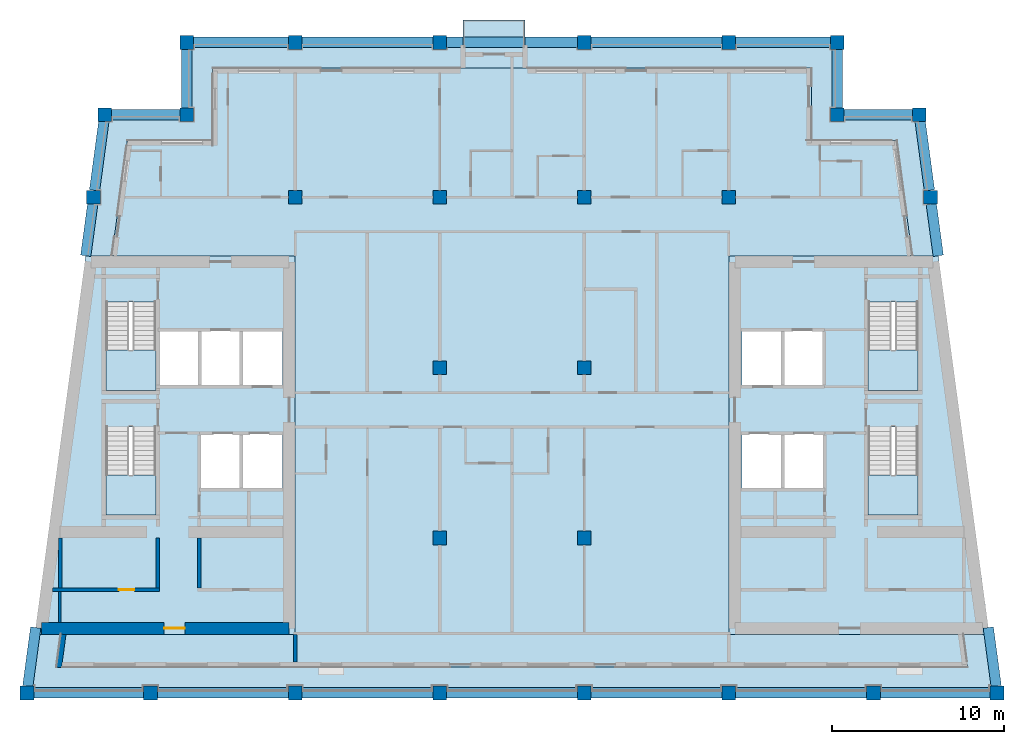
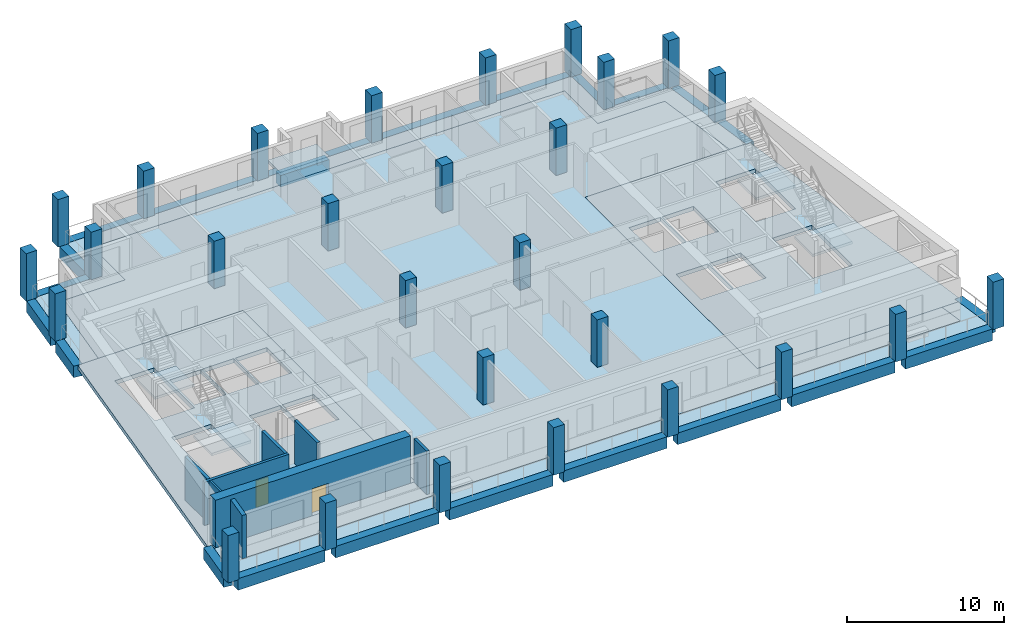
# One storey, part 1 of 14: 28 columns, 24 beams, 10 slabs, 8 walls, 2 doors, 2 openings, 4 elements without a shape of their own.
"""IFC4 building model written with IfcOpenShell, lengths in metres."""

import ifcopenshell
import ifcopenshell.guid

model = None  # the IFC model being written
_history = None  # IfcOwnerHistory: only IFC2X3 demands one
_inside = {}  # id of a spatial element -> (the spatial element, [elements in it])
_under = {}  # id of a project, library or spatial element -> (it, [spatial elements below it])
_declared = {}  # id of a project -> (the project, [libraries it declares])
_typed = {}  # id of a type object -> (the type object, [elements of that type])
_made_of = {}  # id of a material, layer set ... -> (it, [elements and type objects made of it])


def new_model(schema):
    """Start an empty IFC model of exactly this schema.

    Asked for "IFC4X3", IfcOpenShell would pick the latest addendum, in which some entities
    have other attributes; the version numbers below select the first issue.
    IFC2X3 requires an IfcOwnerHistory on every rooted entity: one is made here for all.
    """
    global model, _history
    if schema == "IFC4X3":
        model = ifcopenshell.file(schema_version=(4, 3, 0, 0))
    else:
        model = ifcopenshell.file(schema=schema)
    _inside.clear()
    _under.clear()
    _declared.clear()
    _typed.clear()
    _made_of.clear()
    _history = None
    if model.schema == "IFC2X3":
        org = make("IfcOrganization", Name="unknown")
        user = make(
            "IfcPersonAndOrganization",
            ThePerson=make("IfcPerson", FamilyName="unknown"),
            TheOrganization=org,
        )
        app = make(
            "IfcApplication",
            ApplicationDeveloper=org,
            Version="unknown",
            ApplicationFullName="unknown",
            ApplicationIdentifier="unknown",
        )
        _history = make(
            "IfcOwnerHistory",
            OwningUser=user,
            OwningApplication=app,
            ChangeAction="ADDED",
            CreationDate=0,
        )
    return model


def make(cls, **values):
    """One entity of the class cls with the attributes given. An attribute that is None is left unset."""
    return model.create_entity(
        cls, **{name: value for name, value in values.items() if value is not None}
    )


def rooted(cls, **values):
    """An entity with a GlobalId (a new one), such as an element, a storey or a relation."""
    return make(cls, GlobalId=ifcopenshell.guid.new(), OwnerHistory=_history, **values)


def si_unit(unit_type, name, prefix=None):
    """IfcSIUnit, for example si_unit("LENGTHUNIT", "METRE", prefix="MILLI")."""
    return make("IfcSIUnit", UnitType=unit_type, Prefix=prefix, Name=name)


def assignment(units):
    """IfcUnitAssignment: the units of a project."""
    return None if units is None else make("IfcUnitAssignment", Units=units)


def point(xyz):
    """IfcCartesianPoint."""
    return None if xyz is None else make("IfcCartesianPoint", Coordinates=xyz)


def direction(xyz):
    """IfcDirection."""
    return None if xyz is None else make("IfcDirection", DirectionRatios=xyz)


def frame(location, z_axis=None, x_axis=None):
    """IfcAxis2Placement3D, a coordinate frame: its origin and axes. An axis left out is left unset."""
    return make(
        "IfcAxis2Placement3D",
        Location=point(location),
        Axis=direction(z_axis),
        RefDirection=direction(x_axis),
    )


def frame_2d(location, x_axis=None):
    """IfcAxis2Placement2D, a coordinate frame in the plane: its origin and x axis."""
    return make(
        "IfcAxis2Placement2D", Location=point(location), RefDirection=direction(x_axis)
    )


def origin():
    """The frame at (0, 0, 0) with its axes left unset."""
    return frame((0.0, 0.0, 0.0))


def origin_2d():
    """The frame at (0, 0) in the plane with its x axis left unset."""
    return frame_2d((0.0, 0.0))


def place(relative_to, where):
    """IfcLocalPlacement: puts the frame where relative to a parent placement (None: the world)."""
    return make(
        "IfcLocalPlacement", PlacementRelTo=relative_to, RelativePlacement=where
    )


def context(
    kind, dimensions, precision=None, world=None, true_north=None, identifier=None
):
    """IfcGeometricRepresentationContext, for example the 3D "Model" context."""
    return make(
        "IfcGeometricRepresentationContext",
        ContextIdentifier=identifier,
        ContextType=kind,
        CoordinateSpaceDimension=dimensions,
        Precision=precision,
        WorldCoordinateSystem=world,
        TrueNorth=true_north,
    )


def subcontext(parent, identifier, kind, view, scale=None):
    """IfcGeometricRepresentationSubContext, for example "Body" below "Model"."""
    return make(
        "IfcGeometricRepresentationSubContext",
        ContextIdentifier=identifier,
        ContextType=kind,
        ParentContext=parent,
        TargetScale=scale,
        TargetView=view,
    )


def project(units=None, contexts=None):
    """IfcProject with its units and contexts."""
    return rooted(
        "IfcProject",
        Name="project",
        RepresentationContexts=contexts,
        UnitsInContext=assignment(units),
    )


def spatial(cls, under=None, at=None, **own):
    """A site, building, storey or space (cls), placed at a placement, below another one or the project."""
    s = rooted(cls, ObjectPlacement=at, **own)
    if under is not None:
        _under.setdefault(under.id(), (under, []))[1].append(s)
    return s


def polyline(points):
    """IfcPolyline through the points."""
    return make("IfcPolyline", Points=[point(p) for p in points])


def profile(cls, at=None, kind="AREA", **sizes):
    """A parametric profile (cls). Its sizes go by their IFC names, for example OverallWidth=200.0."""
    return make(cls, ProfileType=kind, Position=at, **sizes)


def rectangle(**sizes):
    """IfcRectangleProfileDef."""
    return profile("IfcRectangleProfileDef", **sizes)


def outline(outer, holes=None, kind="AREA"):
    """IfcArbitraryClosedProfileDef: a profile drawn as a closed curve; with holes, ...WithVoids."""
    if holes is None:
        return make("IfcArbitraryClosedProfileDef", ProfileType=kind, OuterCurve=outer)
    return make(
        "IfcArbitraryProfileDefWithVoids",
        ProfileType=kind,
        OuterCurve=outer,
        InnerCurves=holes,
    )


def extrude(swept, where, along, depth):
    """IfcExtrudedAreaSolid: the profile swept, set in the frame where, extruded along a direction by depth."""
    return make(
        "IfcExtrudedAreaSolid",
        SweptArea=swept,
        Position=where,
        ExtrudedDirection=direction(along),
        Depth=depth,
    )


def shape(context_of_items, identifier, shape_type, items):
    """IfcShapeRepresentation: the items that make up one representation, for example the "Body"."""
    return make(
        "IfcShapeRepresentation",
        ContextOfItems=context_of_items,
        RepresentationIdentifier=identifier,
        RepresentationType=shape_type,
        Items=items,
    )


def material(Name=None, Category=None):
    """IfcMaterial."""
    return make("IfcMaterial", Name=Name, Category=Category)


def layer(
    of_material, thickness, ventilated=None, Name=None, Category=None, Priority=None
):
    """IfcMaterialLayer: one layer of a wall or slab, of a material (None: an air gap)."""
    return make(
        "IfcMaterialLayer",
        Material=of_material,
        LayerThickness=thickness,
        IsVentilated=ventilated,
        Name=Name,
        Category=Category,
        Priority=Priority,
    )


def layer_set(layers, Name=None):
    """IfcMaterialLayerSet."""
    return make("IfcMaterialLayerSet", MaterialLayers=layers, LayerSetName=Name)


def material_profile(
    of_material, cross_section, Name=None, Category=None, Priority=None
):
    """IfcMaterialProfile: a cross section and its material."""
    return make(
        "IfcMaterialProfile",
        Name=Name,
        Material=of_material,
        Profile=cross_section,
        Priority=Priority,
        Category=Category,
    )


def profile_set(profiles, Name=None, composite=None):
    """IfcMaterialProfileSet."""
    return make(
        "IfcMaterialProfileSet",
        Name=Name,
        MaterialProfiles=profiles,
        CompositeProfile=composite,
    )


def made_of(thing, what):
    """Note that an element or type object is made of a material, layer set ...; save() writes the relation."""
    if what is not None:
        _made_of.setdefault(what.id(), (what, []))[1].append(thing)
    return thing


def type_object(cls, material=None, **own):
    """A type object (cls), such as IfcWallType, which elements share."""
    return made_of(rooted(cls, **own), material)


def element(
    cls,
    number,
    at=None,
    inside=None,
    cuts=None,
    type_object=None,
    material=None,
    context=None,
    identifier="Body",
    shape_type=None,
    held_by="IfcProductDefinitionShape",
    body=None,
    shapes=None,
    **own,
):
    """One element of the class cls, such as IfcWall. Its Tag is "e" and its number.

    at: its placement. inside: the storey or other place that contains it. cuts: it is an
    opening in that element (IfcRelVoidsElement). A single representation is given by context,
    identifier, shape_type and body (its items); several are given by shapes. held_by: the class
    of the entity that holds the representations. save() writes the other relations.
    """
    e = rooted(cls, Tag="e%d" % number, ObjectPlacement=at, **own)
    if body is not None:
        shapes = [shape(context, identifier, shape_type, body)]
    if shapes is not None:
        e.Representation = make(held_by, Representations=shapes)
    if inside is not None:
        _inside.setdefault(inside.id(), (inside, []))[1].append(e)
    if cuts is not None:
        rooted(
            "IfcRelVoidsElement", RelatingBuildingElement=cuts, RelatedOpeningElement=e
        )
    if type_object is not None:
        _typed.setdefault(type_object.id(), (type_object, []))[1].append(e)
    return made_of(e, material)


def fill(opening, filler):
    """IfcRelFillsElement: the door or window that sits in an opening."""
    return rooted(
        "IfcRelFillsElement",
        RelatingOpeningElement=opening,
        RelatedBuildingElement=filler,
    )


def aggregate(whole, parts):
    """IfcRelAggregates: a whole, such as a stair, and the parts it consists of."""
    return rooted("IfcRelAggregates", RelatingObject=whole, RelatedObjects=parts)


def save(model, path):
    """Write the relations noted so far, then the file.

    IfcRelAggregates (storeys below a building ...), IfcRelContainedInSpatialStructure (elements
    in a storey), IfcRelDefinesByType, IfcRelAssociatesMaterial and IfcRelDeclares: one each for
    every whole, place, type object, material and project.
    """
    for whole, parts in _under.values():
        aggregate(whole, parts)
    for where, things in _inside.values():
        rooted(
            "IfcRelContainedInSpatialStructure",
            RelatedElements=things,
            RelatingStructure=where,
        )
    for kind, things in _typed.values():
        rooted("IfcRelDefinesByType", RelatedObjects=things, RelatingType=kind)
    for what, things in _made_of.values():
        rooted("IfcRelAssociatesMaterial", RelatedObjects=things, RelatingMaterial=what)
    for by, libraries in _declared.values():
        rooted("IfcRelDeclares", RelatingContext=by, RelatedDefinitions=libraries)
    model.write(path)


model = new_model("IFC4")

# Units and contexts
model_context = context("Model", 3, precision=1e-05, world=origin(), true_north=direction((0.0, 1.0)))
body_context = subcontext(model_context, "Body", "Model", "MODEL_VIEW")
ifc_project = project(units=[si_unit("LENGTHUNIT", "METRE"), si_unit("AREAUNIT", "SQUARE_METRE"), si_unit("VOLUMEUNIT", "CUBIC_METRE"), si_unit("PLANEANGLEUNIT", "RADIAN"), si_unit("MASSUNIT", "GRAM", prefix="KILO")], contexts=[model_context])

# Site, building, storey
site_placement = place(None, origin())
site = spatial("IfcSite", under=ifc_project, at=site_placement, CompositionType="ELEMENT")
building_placement = place(site_placement, origin())
building = spatial("IfcBuilding", under=site, at=building_placement, Name="Candeia Pilgrim Tower and Theatre", CompositionType="ELEMENT")
storey_placement = place(building_placement, frame((0.0, 0.0, 266.39990234375)))
storey = spatial("IfcBuildingStorey", under=building, at=storey_placement, Name="L64", CompositionType="ELEMENT", Elevation=266.39990234375)

# Columns
ifc_material_1 = material(Name="Concrete C40/50", Category="concrete")
ifc_material_profile_1 = material_profile(ifc_material_1, rectangle(XDim=0.800048828125, YDim=0.800048828125, at=origin_2d()))
ifc_profile_set_1 = profile_set([ifc_material_profile_1], Name="Concrete C40/50")
column_type = type_object("IfcColumnType", Name="RC 800x800 C40/50", PredefinedType="COLUMN", material=ifc_profile_set_1)
for number, where, z_axis, x_axis, name in (
    (1, (94.5, 140.60009765625, 0.0), (0.0, 0.0, 1.0), (1.0, 0.0, 0.0), "Column NNW"),
    (2, (132.300048828125, 140.60009765625, 0.0), (0.0, 0.0, 1.0), (1.0, 0.0, 0.0), "Column NNE"),
    (3, (89.734619140625, 140.60009765625, 0.0), (0.0, 0.0, 1.0), (1.0, 0.0, 0.0), "Column LNW"),
    (4, (137.0654296875, 140.60009765625, 0.0), (0.0, 0.0, 1.0), (1.0, 0.0, 0.0), "Column LNE"),
    (5, (92.39990234375, 107.0, 0.0), (0.0, 0.0, 1.0), (1.0, 0.0, 0.0), "Column B1"),
    (6, (100.800048828125, 107.0, 0.0), (0.0, 0.0, 1.0), (1.0, 0.0, 0.0), "Column B2"),
    (7, (109.199951171875, 107.0, 0.0), (0.0, 0.0, 1.0), (1.0, 0.0, 0.0), "Column B3"),
    (8, (117.60009765625, 107.0, 0.0), (0.0, 0.0, 1.0), (1.0, 0.0, 0.0), "Column B4"),
    (9, (126.0, 107.0, 0.0), (0.0, 0.0, 1.0), (1.0, 0.0, 0.0), "Column B5"),
    (10, (134.39990234375, 107.0, 0.0), (0.0, 0.0, 1.0), (1.0, 0.0, 0.0), "Column B6"),
    (11, (85.21142578125, 107.0, 0.0), (0.0, 0.0, 1.0), (1.0, 0.0, 0.0), "Column BW"),
    (12, (141.58837890625, 107.0, 0.0), (0.0, 0.0, 1.0), (1.0, 0.0, 0.0), "Column BE"),
    (13, (109.199951171875, 116.0, 0.0), (0.0, 0.0, 1.0), (1.0, 0.0, 0.0), "Column C3"),
    (14, (117.60009765625, 116.0, 0.0), (0.0, 0.0, 1.0), (1.0, 0.0, 0.0), "Column C4"),
    (15, (109.199951171875, 125.89990234375, 0.0), (0.0, 0.0, 1.0), (1.0, 0.0, 0.0), "Column D3"),
    (16, (117.60009765625, 125.89990234375, 0.0), (0.0, 0.0, 1.0), (1.0, 0.0, 0.0), "Column D4"),
    (17, (100.800048828125, 135.800048828125, 0.0), (0.0, 0.0, 1.0), (1.0, 0.0, 0.0), "Column E2"),
    (18, (109.199951171875, 135.800048828125, 0.0), (0.0, 0.0, 1.0), (1.0, 0.0, 0.0), "Column E3"),
    (19, (117.60009765625, 135.800048828125, 0.0), (0.0, 0.0, 1.0), (1.0, 0.0, 0.0), "Column E4"),
    (20, (126.0, 135.800048828125, 0.0), (0.0, 0.0, 1.0), (1.0, 0.0, 0.0), "Column E5"),
    (21, (89.08837890625, 135.800048828125, 0.0), (0.0, 0.0, 1.0), (1.0, 0.0, 0.0), "Column EW"),
    (22, (137.71142578125, 135.800048828125, 0.0), (0.0, 0.0, 1.0), (1.0, 0.0, 0.0), "Column EE"),
    (23, (100.800048828125, 144.800048828125, 0.0), (0.0, 0.0, 1.0), (1.0, 0.0, 0.0), "Column F2"),
    (24, (109.199951171875, 144.800048828125, 0.0), (0.0, 0.0, 1.0), (1.0, 0.0, 0.0), "Column F3"),
    (25, (117.60009765625, 144.800048828125, 0.0), (0.0, 0.0, 1.0), (1.0, 0.0, 0.0), "Column F4"),
    (26, (126.0, 144.800048828125, 0.0), (0.0, 0.0, 1.0), (1.0, 0.0, 0.0), "Column F5"),
    (27, (94.5, 144.800048828125, 0.0), (0.0, 0.0, 1.0), (1.0, 0.0, 0.0), "Column FW"),
    (28, (132.300048828125, 144.800048828125, 0.0), (0.0, 0.0, 1.0), (1.0, 0.0, 0.0), "Column FE"),
):
    element("IfcColumn", number, at=place(storey_placement, frame(where, z_axis=z_axis, x_axis=x_axis)), inside=storey, type_object=column_type, Name=name, PredefinedType="COLUMN", context=body_context, shape_type="SweptSolid", body=[
        extrude(rectangle(XDim=0.800048828125, YDim=0.800048828125, at=origin_2d()), origin(), (0.0, 0.0, 1.0), 3.7001953125),
    ])

# Beams
ifc_material_profile_2 = material_profile(ifc_material_1, rectangle(XDim=0.60009765625, YDim=0.89990234375, at=origin_2d()))
ifc_profile_set_2 = profile_set([ifc_material_profile_2], Name="Concrete C40/50")
beam_type = type_object("IfcBeamType", Name="RC 600x900 C40/50", PredefinedType="BEAM", material=ifc_profile_set_2)
beam_1_placement = place(storey_placement, frame((90.134521484375, 140.60009765625, -0.449951171875), z_axis=(1.0, 0.0, 0.0), x_axis=(0.0, 1.0, 0.0)))
element("IfcBeam", 29, at=beam_1_placement, inside=storey, type_object=beam_type, Name="Spandrel beam L64-01", PredefinedType="BEAM", context=body_context, shape_type="SweptSolid", body=[
    extrude(rectangle(XDim=0.60009765625, YDim=0.89990234375, at=origin_2d()), origin(), (0.0, 0.0, 1.0), 3.965576171875),
])
beam_2_placement = place(storey_placement, frame((94.5, 141.0, -0.449951171875), z_axis=(0.0, 1.0, 0.0), x_axis=(-1.0, 0.0, 0.0)))
element("IfcBeam", 30, at=beam_2_placement, inside=storey, type_object=beam_type, Name="Spandrel beam L64-02", PredefinedType="BEAM", context=body_context, shape_type="SweptSolid", body=[
    extrude(rectangle(XDim=0.60009765625, YDim=0.89990234375, at=origin_2d()), origin(), (0.0, 0.0, 1.0), 3.39990234375),
])
beam_3_placement = place(storey_placement, frame((94.89990234375, 144.800048828125, -0.449951171875), z_axis=(1.0, 0.0, 0.0), x_axis=(0.0, 1.0, 0.0)))
element("IfcBeam", 31, at=beam_3_placement, inside=storey, type_object=beam_type, Name="Spandrel beam L64-03", PredefinedType="BEAM", context=body_context, shape_type="SweptSolid", body=[
    extrude(rectangle(XDim=0.60009765625, YDim=0.89990234375, at=origin_2d()), origin(), (0.0, 0.0, 1.0), 5.5),
])
beam_4_placement = place(storey_placement, frame((101.199951171875, 144.800048828125, -0.449951171875), z_axis=(1.0, 0.0, 0.0), x_axis=(0.0, 1.0, 0.0)))
element("IfcBeam", 32, at=beam_4_placement, inside=storey, type_object=beam_type, Name="Spandrel beam L64-04", PredefinedType="BEAM", context=body_context, shape_type="SweptSolid", body=[
    extrude(rectangle(XDim=0.60009765625, YDim=0.89990234375, at=origin_2d()), origin(), (0.0, 0.0, 1.0), 7.60009765625),
])
beam_5_placement = place(storey_placement, frame((109.60009765625, 144.800048828125, -0.449951171875), z_axis=(1.0, 0.0, 0.0), x_axis=(0.0, 1.0, 0.0)))
element("IfcBeam", 33, at=beam_5_placement, inside=storey, type_object=beam_type, Name="Spandrel beam L64-05", PredefinedType="BEAM", context=body_context, shape_type="SweptSolid", body=[
    extrude(rectangle(XDim=0.60009765625, YDim=0.89990234375, at=origin_2d()), origin(), (0.0, 0.0, 1.0), 0.949951171875),
])
beam_6_placement = place(storey_placement, frame((110.550048828125, 144.800048828125, -0.699951171875), z_axis=(1.0, 0.0, 0.0), x_axis=(0.0, 1.0, 0.0)))
element("IfcBeam", 34, at=beam_6_placement, inside=storey, type_object=beam_type, Name="Spandrel beam L64-06", PredefinedType="BEAM", context=body_context, shape_type="SweptSolid", body=[
    extrude(rectangle(XDim=0.60009765625, YDim=0.89990234375, at=origin_2d()), origin(), (0.0, 0.0, 1.0), 3.599853515625),
])
beam_7_placement = place(storey_placement, frame((114.14990234375, 144.800048828125, -0.449951171875), z_axis=(1.0, 0.0, 0.0), x_axis=(0.0, 1.0, 0.0)))
element("IfcBeam", 35, at=beam_7_placement, inside=storey, type_object=beam_type, Name="Spandrel beam L64-07", PredefinedType="BEAM", context=body_context, shape_type="SweptSolid", body=[
    extrude(rectangle(XDim=0.60009765625, YDim=0.89990234375, at=origin_2d()), origin(), (0.0, 0.0, 1.0), 3.050048828125),
])
beam_8_placement = place(storey_placement, frame((118.0, 144.800048828125, -0.449951171875), z_axis=(1.0, 0.0, 0.0), x_axis=(0.0, 1.0, 0.0)))
element("IfcBeam", 36, at=beam_8_placement, inside=storey, type_object=beam_type, Name="Spandrel beam L64-08", PredefinedType="BEAM", context=body_context, shape_type="SweptSolid", body=[
    extrude(rectangle(XDim=0.60009765625, YDim=0.89990234375, at=origin_2d()), origin(), (0.0, 0.0, 1.0), 7.60009765625),
])
beam_9_placement = place(storey_placement, frame((126.39990234375, 144.800048828125, -0.449951171875), z_axis=(1.0, 0.0, 0.0), x_axis=(0.0, 1.0, 0.0)))
element("IfcBeam", 37, at=beam_9_placement, inside=storey, type_object=beam_type, Name="Spandrel beam L64-09", PredefinedType="BEAM", context=body_context, shape_type="SweptSolid", body=[
    extrude(rectangle(XDim=0.60009765625, YDim=0.89990234375, at=origin_2d()), origin(), (0.0, 0.0, 1.0), 5.5),
])
beam_10_placement = place(storey_placement, frame((132.300048828125, 144.39990234375, -0.449951171875), z_axis=(0.0, -1.0, 0.0), x_axis=(1.0, 0.0, 0.0)))
element("IfcBeam", 38, at=beam_10_placement, inside=storey, type_object=beam_type, Name="Spandrel beam L64-10", PredefinedType="BEAM", context=body_context, shape_type="SweptSolid", body=[
    extrude(rectangle(XDim=0.60009765625, YDim=0.89990234375, at=origin_2d()), origin(), (0.0, 0.0, 1.0), 3.39990234375),
])
beam_11_placement = place(storey_placement, frame((132.699951171875, 140.60009765625, -0.449951171875), z_axis=(1.0, 0.0, 0.0), x_axis=(0.0, 1.0, 0.0)))
element("IfcBeam", 39, at=beam_11_placement, inside=storey, type_object=beam_type, Name="Spandrel beam L64-11", PredefinedType="BEAM", context=body_context, shape_type="SweptSolid", body=[
    extrude(rectangle(XDim=0.60009765625, YDim=0.89990234375, at=origin_2d()), origin(), (0.0, 0.0, 1.0), 3.96533203125),
])
beam_12_placement = place(storey_placement, frame((137.119140625, 140.199951171875, -0.449951171875), z_axis=(0.133439433328, -0.991056969923, 0.0), x_axis=(0.991056969923, 0.133439433328, 0.0)))
element("IfcBeam", 40, at=beam_12_placement, inside=storey, type_object=beam_type, Name="Spandrel beam L64-12", PredefinedType="BEAM", context=body_context, shape_type="SweptSolid", body=[
    extrude(rectangle(XDim=0.60009765625, YDim=0.89990234375, at=origin_2d()), origin(), (0.0, 0.0, 1.0), 4.0361328125),
])
beam_13_placement = place(storey_placement, frame((137.765380859375, 135.39990234375, -0.449951171875), z_axis=(0.133399824849, -0.991062302144, 0.0), x_axis=(0.991062302144, 0.133399824849, 0.0)))
element("IfcBeam", 41, at=beam_13_placement, inside=storey, type_object=beam_type, Name="Spandrel beam L64-13", PredefinedType="BEAM", context=body_context, shape_type="SweptSolid", body=[
    extrude(rectangle(XDim=0.60009765625, YDim=0.89990234375, at=origin_2d()), origin(), (0.0, 0.0, 1.0), 3.027099609375),
])
beam_14_placement = place(storey_placement, frame((141.077392578125, 110.796630859375, -0.449951171875), z_axis=(0.133418739522, -0.991059755991, 0.0), x_axis=(0.991059755991, 0.133418739522, 0.0)))
element("IfcBeam", 42, at=beam_14_placement, inside=storey, type_object=beam_type, Name="Spandrel beam L64-14", PredefinedType="BEAM", context=body_context, shape_type="SweptSolid", body=[
    extrude(rectangle(XDim=0.60009765625, YDim=0.89990234375, at=origin_2d()), origin(), (0.0, 0.0, 1.0), 3.427490234375),
])
beam_15_placement = place(storey_placement, frame((141.1884765625, 107.0, -0.449951171875), z_axis=(-1.0, 0.0, 0.0), x_axis=(0.0, -1.0, 0.0)))
element("IfcBeam", 43, at=beam_15_placement, inside=storey, type_object=beam_type, Name="Spandrel beam L64-15", PredefinedType="BEAM", context=body_context, shape_type="SweptSolid", body=[
    extrude(rectangle(XDim=0.60009765625, YDim=0.89990234375, at=origin_2d()), origin(), (0.0, 0.0, 1.0), 6.388427734375),
])
for number, where, z_axis, x_axis, name in (
    (44, (134.0, 107.0, -0.449951171875), (-1.0, 0.0, 0.0), (0.0, -1.0, 0.0), "Spandrel beam L64-16"),
    (45, (125.60009765625, 107.0, -0.449951171875), (-1.0, 0.0, 0.0), (0.0, -1.0, 0.0), "Spandrel beam L64-17"),
):
    element("IfcBeam", number, at=place(storey_placement, frame(where, z_axis=z_axis, x_axis=x_axis)), inside=storey, type_object=beam_type, Name=name, PredefinedType="BEAM", context=body_context, shape_type="SweptSolid", body=[
        extrude(rectangle(XDim=0.60009765625, YDim=0.89990234375, at=origin_2d()), origin(), (0.0, 0.0, 1.0), 7.60009765625),
    ])
beam_16_placement = place(storey_placement, frame((117.199951171875, 107.0, -0.449951171875), z_axis=(-1.0, 0.0, 0.0), x_axis=(0.0, -1.0, 0.0)))
element("IfcBeam", 46, at=beam_16_placement, inside=storey, type_object=beam_type, Name="Spandrel beam L64-18", PredefinedType="BEAM", context=body_context, shape_type="SweptSolid", body=[
    extrude(rectangle(XDim=0.60009765625, YDim=0.89990234375, at=origin_2d()), origin(), (0.0, 0.0, 1.0), 7.599853515625),
])
beam_17_placement = place(storey_placement, frame((108.800048828125, 107.0, -0.449951171875), z_axis=(-1.0, 0.0, 0.0), x_axis=(0.0, -1.0, 0.0)))
element("IfcBeam", 47, at=beam_17_placement, inside=storey, type_object=beam_type, Name="Spandrel beam L64-19", PredefinedType="BEAM", context=body_context, shape_type="SweptSolid", body=[
    extrude(rectangle(XDim=0.60009765625, YDim=0.89990234375, at=origin_2d()), origin(), (0.0, 0.0, 1.0), 7.60009765625),
])
beam_18_placement = place(storey_placement, frame((100.39990234375, 107.0, -0.449951171875), z_axis=(-1.0, 0.0, 0.0), x_axis=(0.0, -1.0, 0.0)))
element("IfcBeam", 48, at=beam_18_placement, inside=storey, type_object=beam_type, Name="Spandrel beam L64-20", PredefinedType="BEAM", context=body_context, shape_type="SweptSolid", body=[
    extrude(rectangle(XDim=0.60009765625, YDim=0.89990234375, at=origin_2d()), origin(), (0.0, 0.0, 1.0), 7.599853515625),
])
beam_19_placement = place(storey_placement, frame((92.0, 107.0, -0.449951171875), z_axis=(-1.0, 0.0, 0.0), x_axis=(0.0, -1.0, 0.0)))
element("IfcBeam", 49, at=beam_19_placement, inside=storey, type_object=beam_type, Name="Spandrel beam L64-21", PredefinedType="BEAM", context=body_context, shape_type="SweptSolid", body=[
    extrude(rectangle(XDim=0.60009765625, YDim=0.89990234375, at=origin_2d()), origin(), (0.0, 0.0, 1.0), 6.388427734375),
])
beam_20_placement = place(storey_placement, frame((85.265380859375, 107.39990234375, -0.449951171875), z_axis=(0.133418739522, 0.991059755991, 0.0), x_axis=(-0.991059755991, 0.133418739522, 0.0)))
element("IfcBeam", 50, at=beam_20_placement, inside=storey, type_object=beam_type, Name="Spandrel beam L64-22", PredefinedType="BEAM", context=body_context, shape_type="SweptSolid", body=[
    extrude(rectangle(XDim=0.60009765625, YDim=0.89990234375, at=origin_2d()), origin(), (0.0, 0.0, 1.0), 3.427490234375),
])
beam_21_placement = place(storey_placement, frame((88.630859375, 132.39990234375, -0.449951171875), z_axis=(0.133399824849, 0.991062302144, 0.0), x_axis=(-0.991062302144, 0.133399824849, 0.0)))
element("IfcBeam", 51, at=beam_21_placement, inside=storey, type_object=beam_type, Name="Spandrel beam L64-23", PredefinedType="BEAM", context=body_context, shape_type="SweptSolid", body=[
    extrude(rectangle(XDim=0.60009765625, YDim=0.89990234375, at=origin_2d()), origin(), (0.0, 0.0, 1.0), 3.027099609375),
])
beam_22_placement = place(storey_placement, frame((89.142333984375, 136.199951171875, -0.449951171875), z_axis=(0.13338002037, 0.991064967682, 0.0), x_axis=(-0.991064967682, 0.13338002037, 0.0)))
element("IfcBeam", 52, at=beam_22_placement, inside=storey, type_object=beam_type, Name="Spandrel beam L64-24", PredefinedType="BEAM", context=body_context, shape_type="SweptSolid", body=[
    extrude(rectangle(XDim=0.60009765625, YDim=0.89990234375, at=origin_2d()), origin(), (0.0, 0.0, 1.0), 4.0361328125),
])

# Slabs
ifc_layer_1 = layer(ifc_material_1, 0.25)
ifc_layer_set_1 = layer_set([ifc_layer_1], Name="BK1 balcony slab 250")
slab_type_1 = type_object("IfcSlabType", Name="BK1 balcony slab 250", PredefinedType="USERDEFINED", material=ifc_layer_set_1)
slab_1_placement = place(storey_placement, frame((0.0, 0.0, -0.25)))
element("IfcSlab", 53, at=slab_1_placement, inside=storey, type_object=slab_type_1, Name="Balcony L64", ObjectType="BALCONY", PredefinedType="USERDEFINED", context=body_context, shape_type="SweptSolid", body=[
    extrude(outline(polyline([(110.550048828125, 144.5), (114.14990234375, 144.5), (114.14990234375, 146.10009765625), (110.550048828125, 146.10009765625), (110.550048828125, 144.5)])), origin(), (0.0, 0.0, 1.0), 0.25),
])
ifc_material_2 = material(Name="Concrete C60/75", Category="concrete")
ifc_layer_2 = layer(ifc_material_2, 0.320068359375)
ifc_layer_set_2 = layer_set([ifc_layer_2], Name="FS-CORE 320 core floor")
slab_type_2 = type_object("IfcSlabType", Name="FS-CORE 320 core floor", PredefinedType="FLOOR", material=ifc_layer_set_2)
slab_2_placement = place(storey_placement, frame((0.0, 0.0, -0.31982421875)))
element("IfcSlab", 54, at=slab_2_placement, inside=storey, type_object=slab_type_2, Name="Core floor W L64", PredefinedType="FLOOR", context=body_context, shape_type="SweptSolid", body=[
    extrude(outline(polyline([(100.800048828125, 132.39990234375), (100.800048828125, 110.39990234375), (85.669189453125, 110.39990234375), (88.630859375, 132.39990234375), (100.800048828125, 132.39990234375)]), holes=[polyline([(97.71337890625, 122.050048828125), (97.71337890625, 118.85009765625), (100.050048828125, 118.85009765625), (100.050048828125, 122.050048828125), (97.71337890625, 122.050048828125)]), polyline([(97.7255859375, 128.050048828125), (97.7255859375, 124.85009765625), (100.050048828125, 124.85009765625), (100.050048828125, 128.050048828125), (97.7255859375, 128.050048828125)]), polyline([(95.30126953125, 128.050048828125), (95.30126953125, 124.85009765625), (97.625732421875, 124.85009765625), (97.625732421875, 128.050048828125), (95.30126953125, 128.050048828125)]), polyline([(95.277099609375, 122.050048828125), (95.277099609375, 118.85009765625), (97.613525390625, 118.85009765625), (97.613525390625, 122.050048828125), (95.277099609375, 122.050048828125)]), polyline([(92.876953125, 128.050048828125), (92.876953125, 124.85009765625), (95.201416015625, 124.85009765625), (95.201416015625, 128.050048828125), (92.876953125, 128.050048828125)]), polyline([(89.802001953125, 117.324951171875), (92.701904296875, 117.324951171875), (92.701904296875, 122.455078125), (89.802001953125, 122.455078125), (89.802001953125, 117.324951171875)]), polyline([(89.802001953125, 129.705078125), (89.802001953125, 124.574951171875), (92.701904296875, 124.574951171875), (92.701904296875, 129.705078125), (89.802001953125, 129.705078125)])]), origin(), (0.0, 0.0, 1.0), 0.31982421875),
])
slab_3_placement = place(storey_placement, frame((0.0, 0.0, -0.31982421875)))
element("IfcSlab", 55, at=slab_3_placement, inside=storey, type_object=slab_type_2, Name="Core floor E L64", PredefinedType="FLOOR", context=body_context, shape_type="SweptSolid", body=[
    extrude(outline(polyline([(138.169189453125, 132.39990234375), (141.130859375, 110.39990234375), (126.0, 110.39990234375), (126.0, 132.39990234375), (138.169189453125, 132.39990234375)]), holes=[polyline([(134.097900390625, 117.324951171875), (136.998046875, 117.324951171875), (136.998046875, 122.455078125), (134.097900390625, 122.455078125), (134.097900390625, 117.324951171875)]), polyline([(134.097900390625, 129.705078125), (134.097900390625, 124.574951171875), (136.998046875, 124.574951171875), (136.998046875, 129.705078125), (134.097900390625, 129.705078125)]), polyline([(131.52294921875, 122.050048828125), (129.1865234375, 122.050048828125), (129.1865234375, 118.85009765625), (131.52294921875, 118.85009765625), (131.52294921875, 122.050048828125)]), polyline([(131.498779296875, 128.050048828125), (129.17431640625, 128.050048828125), (129.17431640625, 124.85009765625), (131.498779296875, 124.85009765625), (131.498779296875, 128.050048828125)]), polyline([(129.08642578125, 122.050048828125), (126.75, 122.050048828125), (126.75, 118.85009765625), (129.08642578125, 118.85009765625), (129.08642578125, 122.050048828125)]), polyline([(126.75, 128.050048828125), (126.75, 124.85009765625), (129.07421875, 124.85009765625), (129.07421875, 128.050048828125), (126.75, 128.050048828125)])]), origin(), (0.0, 0.0, 1.0), 0.31982421875),
])
ifc_material_3 = material(Name="Concrete C50/60", Category="concrete")
ifc_layer_3 = layer(ifc_material_3, 0.320068359375)
ifc_layer_set_3 = layer_set([ifc_layer_3], Name="Floor slab 320 C50/60")
slab_type_3 = type_object("IfcSlabType", Name="Floor slab 320 C50/60", PredefinedType="FLOOR", material=ifc_layer_set_3)
slab_4_placement = place(storey_placement, frame((0.0, 0.0, -0.31982421875)))
element("IfcSlab", 56, at=slab_4_placement, inside=storey, type_object=slab_type_3, Name="Floor slab L64", PredefinedType="FLOOR", context=body_context, shape_type="SweptSolid", body=[
    extrude(outline(polyline([(96.0, 139.10009765625), (96.0, 143.300048828125), (130.800048828125, 143.300048828125), (130.800048828125, 139.10009765625), (135.753662109375, 139.10009765625), (136.65576171875, 132.39990234375), (126.0, 132.39990234375), (126.0, 110.39990234375), (139.6171875, 110.39990234375), (139.873046875, 108.5), (86.927001953125, 108.5), (87.182861328125, 110.39990234375), (100.800048828125, 110.39990234375), (100.800048828125, 132.39990234375), (90.144287109375, 132.39990234375), (91.046142578125, 139.10009765625), (96.0, 139.10009765625)])), origin(), (0.0, 0.0, 1.0), 0.31982421875),
])
ifc_layer_4 = layer(ifc_material_1, 0.25)
ifc_layer_set_4 = layer_set([ifc_layer_4], Name="Loggia slab 250 C40/50")
slab_type_4 = type_object("IfcSlabType", Name="Loggia slab 250 C40/50", PredefinedType="FLOOR", material=ifc_layer_set_4)
slab_5_placement = place(storey_placement, frame((0.0, 0.0, -0.25)))
element("IfcSlab", 57, at=slab_5_placement, inside=storey, type_object=slab_type_4, Name="Loggia slab L64 1", PredefinedType="FLOOR", context=body_context, shape_type="SweptSolid", body=[
    extrude(outline(polyline([(86.927001953125, 108.5), (139.873046875, 108.5), (139.6171875, 110.39990234375), (140.828125, 110.39990234375), (141.245361328125, 107.300048828125), (85.5546875, 107.300048828125), (85.971923828125, 110.39990234375), (87.182861328125, 110.39990234375), (86.927001953125, 108.5)])), origin(), (0.0, 0.0, 1.0), 0.25),
])
slab_6_placement = place(storey_placement, frame((0.0, 0.0, -0.25)))
element("IfcSlab", 58, at=slab_6_placement, inside=storey, type_object=slab_type_4, Name="Loggia slab L64 2", PredefinedType="FLOOR", context=body_context, shape_type="SweptSolid", body=[
    extrude(outline(polyline([(136.65576171875, 132.39990234375), (135.753662109375, 139.10009765625), (130.800048828125, 139.10009765625), (130.800048828125, 143.300048828125), (96.0, 143.300048828125), (96.0, 139.10009765625), (91.046142578125, 139.10009765625), (90.144287109375, 132.39990234375), (88.93359375, 132.39990234375), (89.996826171875, 140.300048828125), (94.800048828125, 140.300048828125), (94.800048828125, 144.5), (132.0, 144.5), (132.0, 140.300048828125), (136.802978515625, 140.300048828125), (137.866455078125, 132.39990234375), (136.65576171875, 132.39990234375)])), origin(), (0.0, 0.0, 1.0), 0.25),
])

# Stair, slab
stair_type = type_object("IfcStairType", Name="ST-TWR dog-leg escape stair", PredefinedType="HALF_TURN_STAIR", material=ifc_material_1)
stair_1_placement = place(storey_placement, origin())
stair_1 = element("IfcStair", 59, at=stair_1_placement, inside=storey, type_object=stair_type, Name="L64 Escape stair ST1", PredefinedType="HALF_TURN_STAIR")
ifc_layer_5 = layer(ifc_material_1, 0.199951171875)
ifc_layer_set_5 = layer_set([ifc_layer_5], Name="SL-LANDING stair landing")
slab_type_5 = type_object("IfcSlabType", Name="SL-LANDING stair landing", PredefinedType="LANDING", material=ifc_layer_set_5)
slab_7_placement = place(storey_placement, frame((0.0, 0.0, 1.650146484375)))
slab_7 = element("IfcSlab", 60, at=slab_7_placement, type_object=slab_type_5, Name="ST1 landing 1", PredefinedType="LANDING", context=body_context, shape_type="SweptSolid", body=[
    extrude(outline(polyline([(89.802001953125, 119.675048828125), (89.802001953125, 117.324951171875), (92.701904296875, 117.324951171875), (92.701904296875, 119.675048828125), (89.802001953125, 119.675048828125)])), origin(), (0.0, 0.0, 1.0), 0.199951171875),
])
aggregate(stair_1, [slab_7])

stair_2_placement = place(storey_placement, origin())
stair_2 = element("IfcStair", 61, at=stair_2_placement, inside=storey, type_object=stair_type, Name="L64 Escape stair ST2", PredefinedType="HALF_TURN_STAIR")
slab_8_placement = place(storey_placement, frame((0.0, 0.0, 1.650146484375)))
slab_8 = element("IfcSlab", 62, at=slab_8_placement, type_object=slab_type_5, Name="ST2 landing 1", PredefinedType="LANDING", context=body_context, shape_type="SweptSolid", body=[
    extrude(outline(polyline([(89.802001953125, 126.925048828125), (89.802001953125, 124.574951171875), (92.701904296875, 124.574951171875), (92.701904296875, 126.925048828125), (89.802001953125, 126.925048828125)])), origin(), (0.0, 0.0, 1.0), 0.199951171875),
])
aggregate(stair_2, [slab_8])

stair_3_placement = place(storey_placement, origin())
stair_3 = element("IfcStair", 63, at=stair_3_placement, inside=storey, type_object=stair_type, Name="L64 Escape stair ST3", PredefinedType="HALF_TURN_STAIR")
slab_9_placement = place(storey_placement, frame((0.0, 0.0, 1.650146484375)))
slab_9 = element("IfcSlab", 64, at=slab_9_placement, type_object=slab_type_5, Name="ST3 landing 1", PredefinedType="LANDING", context=body_context, shape_type="SweptSolid", body=[
    extrude(outline(polyline([(134.097900390625, 119.675048828125), (134.097900390625, 117.324951171875), (136.998046875, 117.324951171875), (136.998046875, 119.675048828125), (134.097900390625, 119.675048828125)])), origin(), (0.0, 0.0, 1.0), 0.199951171875),
])
aggregate(stair_3, [slab_9])

stair_4_placement = place(storey_placement, origin())
stair_4 = element("IfcStair", 65, at=stair_4_placement, inside=storey, type_object=stair_type, Name="L64 Escape stair ST4", PredefinedType="HALF_TURN_STAIR")
slab_10_placement = place(storey_placement, frame((0.0, 0.0, 1.650146484375)))
slab_10 = element("IfcSlab", 66, at=slab_10_placement, type_object=slab_type_5, Name="ST4 landing 1", PredefinedType="LANDING", context=body_context, shape_type="SweptSolid", body=[
    extrude(outline(polyline([(134.097900390625, 126.925048828125), (134.097900390625, 124.574951171875), (136.998046875, 124.574951171875), (136.998046875, 126.925048828125), (134.097900390625, 126.925048828125)])), origin(), (0.0, 0.0, 1.0), 0.199951171875),
])
aggregate(stair_4, [slab_10])

# Wall, opening, door
ifc_layer_6 = layer(ifc_material_1, 0.699951171875)
ifc_layer_set_6 = layer_set([ifc_layer_6], Name="Core wall 700 C40/50")
wall_type_1 = type_object("IfcWallType", Name="Core wall 700 C40/50", PredefinedType="SHEAR", material=ifc_layer_set_6)
wall_1_placement = place(storey_placement, frame((100.449951171875, 110.75, 0.0), z_axis=(0.0, 0.0, 1.0), x_axis=(-1.0, 0.0, 0.0)))
wall_1 = element("IfcWall", 67, at=wall_1_placement, inside=storey, type_object=wall_type_1, Name="Core wall W3", PredefinedType="SHEAR", context=body_context, shape_type="SweptSolid", body=[
    extrude(rectangle(XDim=14.38037109375, YDim=0.699951171875, at=frame_2d((7.190185546875, 0.0))), origin(), (0.0, 0.0, 1.0), 3.7001953125),
])
opening_1_placement = place(wall_1_placement, frame((6.060302734375, 0.0, 0.0)))
opening_1 = element("IfcOpeningElement", 68, at=opening_1_placement, cuts=wall_1, Name="Opening L64-D041", PredefinedType="OPENING", context=body_context, shape_type="SweptSolid", body=[
    extrude(rectangle(XDim=1.199951171875, YDim=2.10009765625, at=frame_2d((0.60009765625, 1.050048828125))), frame((0.0, 0.35986328125, 0.0), z_axis=(0.0, -1.0, 0.0), x_axis=(1.0, 0.0, 0.0)), (0.0, 0.0, 1.0), 0.719970703125),
])
ifc_material_4 = material(Name="Steel fire door set", Category="steel")
door_type_1 = type_object("IfcDoorType", Name="D-1200-FD60", OperationType="NOTDEFINED", PredefinedType="DOOR", material=ifc_material_4)
door_1_placement = place(opening_1_placement, origin())
door_1 = element("IfcDoor", 69, at=door_1_placement, inside=storey, type_object=door_type_1, Name="Door L64-D041", OperationType="SINGLE_SWING_LEFT", OverallHeight=2.10009765625, OverallWidth=1.199951171875, PredefinedType="DOOR", context=body_context, shape_type="SweptSolid", body=[
    extrude(rectangle(XDim=1.199951171875, YDim=2.10009765625, at=frame_2d((0.60009765625, 1.050048828125))), frame((0.0, 0.02490234375, 0.0), z_axis=(0.0, -1.0, 0.0), x_axis=(1.0, 0.0, 0.0)), (0.0, 0.0, 1.0), 0.050048828125),
])
fill(opening_1, door_1)

# Walls
ifc_material_5 = material(Name="Ceramic block masonry", Category="masonry")
ifc_layer_7 = layer(ifc_material_5, 0.300048828125)
ifc_layer_set_7 = layer_set([ifc_layer_7], Name="EW1 glazing-line wall 300")
wall_type_2 = type_object("IfcWallType", Name="EW1 glazing-line wall 300", PredefinedType="SOLIDWALL", material=ifc_layer_set_7)
wall_2_placement = place(storey_placement, frame((87.334228515625, 110.39990234375, 0.0), z_axis=(0.0, 0.0, 1.0), x_axis=(-0.13345962011, -0.991054251694, 0.0)))
element("IfcWall", 70, at=wall_2_placement, inside=storey, type_object=wall_type_2, Name="External wall L64-0.1", PredefinedType="SOLIDWALL", context=body_context, shape_type="SweptSolid", body=[
    extrude(rectangle(XDim=1.937255859375, YDim=0.300048828125, at=frame_2d((0.96875, 0.0))), origin(), (0.0, 0.0, 1.0), 3.380126953125),
])
ifc_material_6 = material(Name="Gypsum board partition on steel studs", Category="steel")
ifc_layer_8 = layer(ifc_material_6, 0.14990234375)
ifc_layer_set_8 = layer_set([ifc_layer_8], Name="PW-150 lobby wall")
wall_type_3 = type_object("IfcWallType", Name="PW-150 lobby wall", PredefinedType="PARTITIONING", material=ifc_layer_set_8)
wall_3_placement = place(storey_placement, frame((87.126953125, 111.10009765625, 0.0), z_axis=(0.0, 0.0, 1.0), x_axis=(0.0, 1.0, 0.0)))
element("IfcWall", 71, at=wall_3_placement, inside=storey, type_object=wall_type_3, Name="Lobby wall L64-044", PredefinedType="PARTITIONING", context=body_context, shape_type="SweptSolid", body=[
    extrude(rectangle(XDim=1.7998046875, YDim=0.14990234375, at=frame_2d((0.89990234375, 0.0))), origin(), (0.0, 0.0, 1.0), 3.380126953125),
])
ifc_layer_9 = layer(ifc_material_6, 0.199951171875)
ifc_layer_set_9 = layer_set([ifc_layer_9], Name="PW-200 party wall")
wall_type_4 = type_object("IfcWallType", Name="PW-200 party wall", PredefinedType="PARTITIONING", material=ifc_layer_set_9)
wall_4_placement = place(storey_placement, frame((100.800048828125, 108.7900390625, 0.0), z_axis=(0.0, 0.0, 1.0), x_axis=(0.0, 1.0, 0.0)))
element("IfcWall", 72, at=wall_4_placement, inside=storey, type_object=wall_type_4, Name="Party wall L64-059", PredefinedType="PARTITIONING", context=body_context, shape_type="SweptSolid", body=[
    extrude(rectangle(XDim=1.60986328125, YDim=0.199951171875, at=frame_2d((0.804931640625, 0.0))), origin(), (0.0, 0.0, 1.0), 3.380126953125),
])

# Wall, opening, door
ifc_layer_10 = layer(ifc_material_1, 0.199951171875)
ifc_layer_set_10 = layer_set([ifc_layer_10], Name="SW-200 shaft wall")
wall_type_5 = type_object("IfcWallType", Name="SW-200 shaft wall", PredefinedType="PARTITIONING", material=ifc_layer_set_10)
wall_5_placement = place(storey_placement, frame((86.695556640625, 113.0, 0.0), z_axis=(0.0, 0.0, 1.0), x_axis=(1.0, 0.0, 0.0)))
wall_5 = element("IfcWall", 73, at=wall_5_placement, inside=storey, type_object=wall_type_5, Name="Shaft wall L64-002", PredefinedType="PARTITIONING", context=body_context, shape_type="SweptSolid", body=[
    extrude(rectangle(XDim=6.2314453125, YDim=0.199951171875, at=frame_2d((3.11572265625, 0.0))), origin(), (0.0, 0.0, 1.0), 3.380126953125),
])
opening_2_placement = place(wall_5_placement, frame((3.8564453125, 0.0, 0.0)))
opening_2 = element("IfcOpeningElement", 74, at=opening_2_placement, cuts=wall_5, Name="Opening L64-D005", PredefinedType="OPENING", context=body_context, shape_type="SweptSolid", body=[
    extrude(rectangle(XDim=0.89990234375, YDim=2.10009765625, at=frame_2d((0.449951171875, 1.050048828125))), frame((0.0, 0.10986328125, 0.0), z_axis=(0.0, -1.0, 0.0), x_axis=(1.0, 0.0, 0.0)), (0.0, 0.0, 1.0), 0.219970703125),
])
door_type_2 = type_object("IfcDoorType", Name="D-900-FD60", OperationType="NOTDEFINED", PredefinedType="DOOR", material=ifc_material_4)
door_2_placement = place(opening_2_placement, origin())
door_2 = element("IfcDoor", 75, at=door_2_placement, inside=storey, type_object=door_type_2, Name="Door L64-D005", OperationType="SINGLE_SWING_LEFT", OverallHeight=2.10009765625, OverallWidth=0.89990234375, PredefinedType="DOOR", context=body_context, shape_type="SweptSolid", body=[
    extrude(rectangle(XDim=0.89990234375, YDim=2.10009765625, at=frame_2d((0.449951171875, 1.050048828125))), frame((0.0, 0.02490234375, 0.0), z_axis=(0.0, -1.0, 0.0), x_axis=(1.0, 0.0, 0.0)), (0.0, 0.0, 1.0), 0.050048828125),
])
fill(opening_2, door_2)

# Walls
for number, where, z_axis, x_axis, name in (
    (76, (87.1484375, 113.10009765625, 0.0), (0.0, 0.0, 1.0), (0.0, 1.0, 0.0), "Shaft wall L64-043"),
    (77, (92.826904296875, 113.10009765625, 0.0), (0.0, 0.0, 1.0), (0.0, 1.0, 0.0), "Shaft wall L64-047"),
    (78, (95.22705078125, 113.10009765625, 0.0), (0.0, 0.0, 1.0), (0.0, 1.0, 0.0), "Shaft wall L64-052"),
):
    element("IfcWall", number, at=place(storey_placement, frame(where, z_axis=z_axis, x_axis=x_axis)), inside=storey, type_object=wall_type_5, Name=name, PredefinedType="PARTITIONING", context=body_context, shape_type="SweptSolid", body=[
        extrude(rectangle(XDim=2.89990234375, YDim=0.199951171875, at=frame_2d((1.449951171875, 0.0))), origin(), (0.0, 0.0, 1.0), 3.380126953125),
    ])

save(model, "model.ifc")
